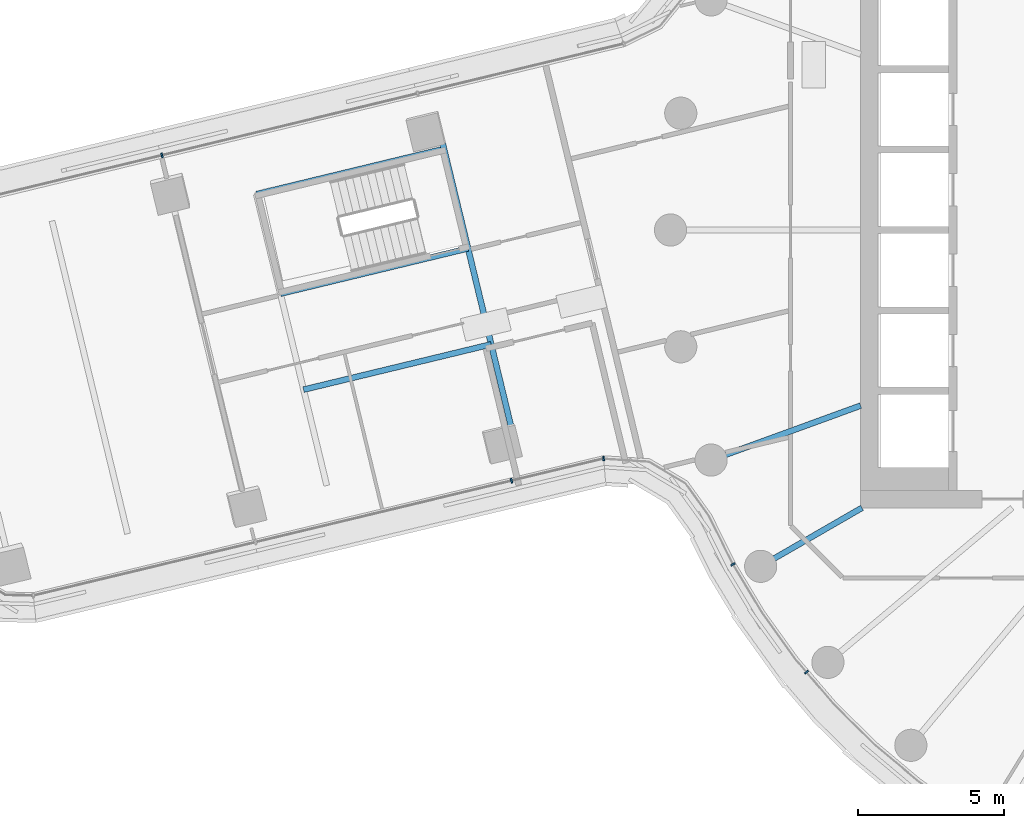
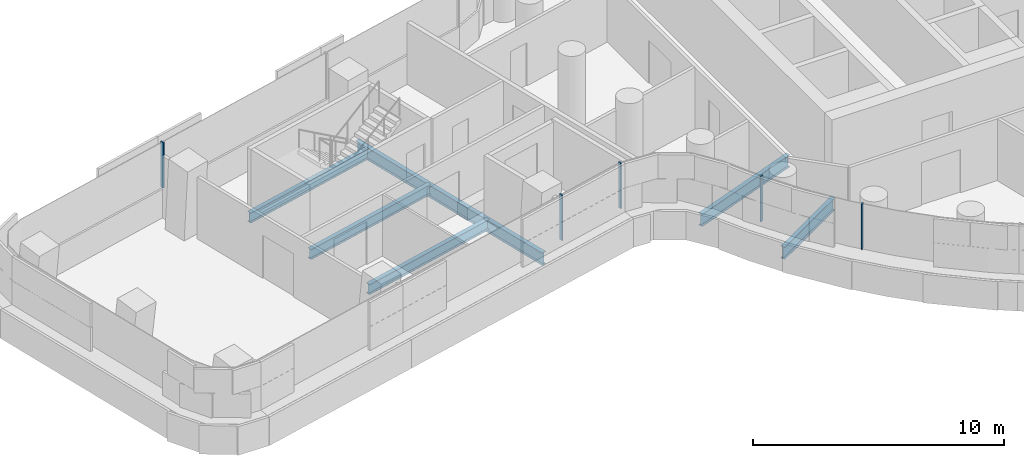
# One storey, part 5 of 33: 6 beams, 5 members, 3 elements without a shape of their own.
"""IFC4 building model written with IfcOpenShell, lengths in metres."""

import ifcopenshell
import ifcopenshell.guid

model = None  # the IFC model being written
_history = None  # IfcOwnerHistory: only IFC2X3 demands one
_inside = {}  # id of a spatial element -> (the spatial element, [elements in it])
_under = {}  # id of a project, library or spatial element -> (it, [spatial elements below it])
_declared = {}  # id of a project -> (the project, [libraries it declares])
_typed = {}  # id of a type object -> (the type object, [elements of that type])
_made_of = {}  # id of a material, layer set ... -> (it, [elements and type objects made of it])


def new_model(schema):
    """Start an empty IFC model of exactly this schema.

    Asked for "IFC4X3", IfcOpenShell would pick the latest addendum, in which some entities
    have other attributes; the version numbers below select the first issue.
    IFC2X3 requires an IfcOwnerHistory on every rooted entity: one is made here for all.
    """
    global model, _history
    if schema == "IFC4X3":
        model = ifcopenshell.file(schema_version=(4, 3, 0, 0))
    else:
        model = ifcopenshell.file(schema=schema)
    _inside.clear()
    _under.clear()
    _declared.clear()
    _typed.clear()
    _made_of.clear()
    _history = None
    if model.schema == "IFC2X3":
        org = make("IfcOrganization", Name="unknown")
        user = make(
            "IfcPersonAndOrganization",
            ThePerson=make("IfcPerson", FamilyName="unknown"),
            TheOrganization=org,
        )
        app = make(
            "IfcApplication",
            ApplicationDeveloper=org,
            Version="unknown",
            ApplicationFullName="unknown",
            ApplicationIdentifier="unknown",
        )
        _history = make(
            "IfcOwnerHistory",
            OwningUser=user,
            OwningApplication=app,
            ChangeAction="ADDED",
            CreationDate=0,
        )
    return model


def make(cls, **values):
    """One entity of the class cls with the attributes given. An attribute that is None is left unset."""
    return model.create_entity(
        cls, **{name: value for name, value in values.items() if value is not None}
    )


def rooted(cls, **values):
    """An entity with a GlobalId (a new one), such as an element, a storey or a relation."""
    return make(cls, GlobalId=ifcopenshell.guid.new(), OwnerHistory=_history, **values)


def si_unit(unit_type, name, prefix=None):
    """IfcSIUnit, for example si_unit("LENGTHUNIT", "METRE", prefix="MILLI")."""
    return make("IfcSIUnit", UnitType=unit_type, Prefix=prefix, Name=name)


def assignment(units):
    """IfcUnitAssignment: the units of a project."""
    return None if units is None else make("IfcUnitAssignment", Units=units)


def point(xyz):
    """IfcCartesianPoint."""
    return None if xyz is None else make("IfcCartesianPoint", Coordinates=xyz)


def direction(xyz):
    """IfcDirection."""
    return None if xyz is None else make("IfcDirection", DirectionRatios=xyz)


def frame(location, z_axis=None, x_axis=None):
    """IfcAxis2Placement3D, a coordinate frame: its origin and axes. An axis left out is left unset."""
    return make(
        "IfcAxis2Placement3D",
        Location=point(location),
        Axis=direction(z_axis),
        RefDirection=direction(x_axis),
    )


def frame_2d(location, x_axis=None):
    """IfcAxis2Placement2D, a coordinate frame in the plane: its origin and x axis."""
    return make(
        "IfcAxis2Placement2D", Location=point(location), RefDirection=direction(x_axis)
    )


def origin():
    """The frame at (0, 0, 0) with its axes left unset."""
    return frame((0.0, 0.0, 0.0))


def origin_2d():
    """The frame at (0, 0) in the plane with its x axis left unset."""
    return frame_2d((0.0, 0.0))


def place(relative_to, where):
    """IfcLocalPlacement: puts the frame where relative to a parent placement (None: the world)."""
    return make(
        "IfcLocalPlacement", PlacementRelTo=relative_to, RelativePlacement=where
    )


def context(
    kind, dimensions, precision=None, world=None, true_north=None, identifier=None
):
    """IfcGeometricRepresentationContext, for example the 3D "Model" context."""
    return make(
        "IfcGeometricRepresentationContext",
        ContextIdentifier=identifier,
        ContextType=kind,
        CoordinateSpaceDimension=dimensions,
        Precision=precision,
        WorldCoordinateSystem=world,
        TrueNorth=true_north,
    )


def subcontext(parent, identifier, kind, view, scale=None):
    """IfcGeometricRepresentationSubContext, for example "Body" below "Model"."""
    return make(
        "IfcGeometricRepresentationSubContext",
        ContextIdentifier=identifier,
        ContextType=kind,
        ParentContext=parent,
        TargetScale=scale,
        TargetView=view,
    )


def project(units=None, contexts=None):
    """IfcProject with its units and contexts."""
    return rooted(
        "IfcProject",
        Name="project",
        RepresentationContexts=contexts,
        UnitsInContext=assignment(units),
    )


def spatial(cls, under=None, at=None, **own):
    """A site, building, storey or space (cls), placed at a placement, below another one or the project."""
    s = rooted(cls, ObjectPlacement=at, **own)
    if under is not None:
        _under.setdefault(under.id(), (under, []))[1].append(s)
    return s


def profile(cls, at=None, kind="AREA", **sizes):
    """A parametric profile (cls). Its sizes go by their IFC names, for example OverallWidth=200.0."""
    return make(cls, ProfileType=kind, Position=at, **sizes)


def rectangle(**sizes):
    """IfcRectangleProfileDef."""
    return profile("IfcRectangleProfileDef", **sizes)


def i_section(**sizes):
    """IfcIShapeProfileDef."""
    return profile("IfcIShapeProfileDef", **sizes)


def extrude(swept, where, along, depth):
    """IfcExtrudedAreaSolid: the profile swept, set in the frame where, extruded along a direction by depth."""
    return make(
        "IfcExtrudedAreaSolid",
        SweptArea=swept,
        Position=where,
        ExtrudedDirection=direction(along),
        Depth=depth,
    )


def shape(context_of_items, identifier, shape_type, items):
    """IfcShapeRepresentation: the items that make up one representation, for example the "Body"."""
    return make(
        "IfcShapeRepresentation",
        ContextOfItems=context_of_items,
        RepresentationIdentifier=identifier,
        RepresentationType=shape_type,
        Items=items,
    )


def material(Name=None, Category=None):
    """IfcMaterial."""
    return make("IfcMaterial", Name=Name, Category=Category)


def layer(
    of_material, thickness, ventilated=None, Name=None, Category=None, Priority=None
):
    """IfcMaterialLayer: one layer of a wall or slab, of a material (None: an air gap)."""
    return make(
        "IfcMaterialLayer",
        Material=of_material,
        LayerThickness=thickness,
        IsVentilated=ventilated,
        Name=Name,
        Category=Category,
        Priority=Priority,
    )


def layer_set(layers, Name=None):
    """IfcMaterialLayerSet."""
    return make("IfcMaterialLayerSet", MaterialLayers=layers, LayerSetName=Name)


def material_profile(
    of_material, cross_section, Name=None, Category=None, Priority=None
):
    """IfcMaterialProfile: a cross section and its material."""
    return make(
        "IfcMaterialProfile",
        Name=Name,
        Material=of_material,
        Profile=cross_section,
        Priority=Priority,
        Category=Category,
    )


def profile_set(profiles, Name=None, composite=None):
    """IfcMaterialProfileSet."""
    return make(
        "IfcMaterialProfileSet",
        Name=Name,
        MaterialProfiles=profiles,
        CompositeProfile=composite,
    )


def made_of(thing, what):
    """Note that an element or type object is made of a material, layer set ...; save() writes the relation."""
    if what is not None:
        _made_of.setdefault(what.id(), (what, []))[1].append(thing)
    return thing


def type_object(cls, material=None, **own):
    """A type object (cls), such as IfcWallType, which elements share."""
    return made_of(rooted(cls, **own), material)


def element(
    cls,
    number,
    at=None,
    inside=None,
    cuts=None,
    type_object=None,
    material=None,
    context=None,
    identifier="Body",
    shape_type=None,
    held_by="IfcProductDefinitionShape",
    body=None,
    shapes=None,
    **own,
):
    """One element of the class cls, such as IfcWall. Its Tag is "e" and its number.

    at: its placement. inside: the storey or other place that contains it. cuts: it is an
    opening in that element (IfcRelVoidsElement). A single representation is given by context,
    identifier, shape_type and body (its items); several are given by shapes. held_by: the class
    of the entity that holds the representations. save() writes the other relations.
    """
    e = rooted(cls, Tag="e%d" % number, ObjectPlacement=at, **own)
    if body is not None:
        shapes = [shape(context, identifier, shape_type, body)]
    if shapes is not None:
        e.Representation = make(held_by, Representations=shapes)
    if inside is not None:
        _inside.setdefault(inside.id(), (inside, []))[1].append(e)
    if cuts is not None:
        rooted(
            "IfcRelVoidsElement", RelatingBuildingElement=cuts, RelatedOpeningElement=e
        )
    if type_object is not None:
        _typed.setdefault(type_object.id(), (type_object, []))[1].append(e)
    return made_of(e, material)


def aggregate(whole, parts):
    """IfcRelAggregates: a whole, such as a stair, and the parts it consists of."""
    return rooted("IfcRelAggregates", RelatingObject=whole, RelatedObjects=parts)


def save(model, path):
    """Write the relations noted so far, then the file.

    IfcRelAggregates (storeys below a building ...), IfcRelContainedInSpatialStructure (elements
    in a storey), IfcRelDefinesByType, IfcRelAssociatesMaterial and IfcRelDeclares: one each for
    every whole, place, type object, material and project.
    """
    for whole, parts in _under.values():
        aggregate(whole, parts)
    for where, things in _inside.values():
        rooted(
            "IfcRelContainedInSpatialStructure",
            RelatedElements=things,
            RelatingStructure=where,
        )
    for kind, things in _typed.values():
        rooted("IfcRelDefinesByType", RelatedObjects=things, RelatingType=kind)
    for what, things in _made_of.values():
        rooted("IfcRelAssociatesMaterial", RelatedObjects=things, RelatingMaterial=what)
    for by, libraries in _declared.values():
        rooted("IfcRelDeclares", RelatingContext=by, RelatedDefinitions=libraries)
    model.write(path)


model = new_model("IFC4")

# Units and contexts
model_context = context("Model", 3, precision=1e-05, world=origin(), true_north=direction((0.0, 1.0)))
body_context = subcontext(model_context, "Body", "Model", "MODEL_VIEW")
ifc_project = project(units=[si_unit("LENGTHUNIT", "METRE"), si_unit("AREAUNIT", "SQUARE_METRE"), si_unit("VOLUMEUNIT", "CUBIC_METRE"), si_unit("PLANEANGLEUNIT", "RADIAN"), si_unit("MASSUNIT", "GRAM", prefix="KILO")], contexts=[model_context])

# Site, building, storey
site_placement = place(None, origin())
site = spatial("IfcSite", under=ifc_project, at=site_placement, CompositionType="ELEMENT")
building_placement = place(site_placement, origin())
building = spatial("IfcBuilding", under=site, at=building_placement, Name="Tamarind Cross Interchange Tower", CompositionType="ELEMENT")
storey_placement = place(building_placement, frame((0.0, 0.0, 83.5)))
storey = spatial("IfcBuildingStorey", under=building, at=storey_placement, Name="L19", CompositionType="ELEMENT", Elevation=83.5)

# Beams
ifc_material_1 = material(Name="Steel Q355B", Category="steel")
ifc_material_profile_1 = material_profile(ifc_material_1, i_section(OverallWidth=0.198974609375, OverallDepth=0.49609375, WebThickness=0.009033203125, FlangeThickness=0.013916015625, FilletRadius=0.012939453125, at=origin_2d()), Name="HN 496x199x9x14")
ifc_profile_set_1 = profile_set([ifc_material_profile_1], Name="Steel Q355B")
beam_type_1 = type_object("IfcBeamType", Name="Composite beam HN 496x199x9x14 Q355B", PredefinedType="BEAM", material=ifc_profile_set_1)
beam_1_placement = place(storey_placement, frame((-30.84326171875, 2.750244140625, -0.387939453125), z_axis=(-0.972027825291, -0.234865720914, 0.0), x_axis=(0.234865720914, -0.972027825291, 0.0)))
element("IfcBeam", 1, at=beam_1_placement, inside=storey, type_object=beam_type_1, Name="Beam W-tr0", PredefinedType="BEAM", context=body_context, shape_type="SweptSolid", body=[
    extrude(i_section(OverallWidth=0.198974609375, OverallDepth=0.49609375, WebThickness=0.009033203125, FlangeThickness=0.013916015625, FilletRadius=0.012939453125, at=origin_2d()), origin(), (0.0, 0.0, 1.0), 6.5),
])
beam_2_placement = place(storey_placement, frame((-29.924072265625, -0.62841796875, -0.387939453125), z_axis=(-0.972029231747, -0.234859900002, 0.0), x_axis=(0.234859900002, -0.972029231747, 0.0)))
element("IfcBeam", 2, at=beam_2_placement, inside=storey, type_object=beam_type_1, Name="Beam W-tr1", PredefinedType="BEAM", context=body_context, shape_type="SweptSolid", body=[
    extrude(i_section(OverallWidth=0.198974609375, OverallDepth=0.49609375, WebThickness=0.009033203125, FlangeThickness=0.013916015625, FilletRadius=0.012939453125, at=origin_2d()), origin(), (0.0, 0.0, 1.0), 6.599853515625),
])
beam_3_placement = place(storey_placement, frame((-29.13134765625, -3.9091796875, -0.387939453125), z_axis=(-0.972039715767, -0.234816504897, 0.0), x_axis=(0.234816504897, -0.972039715767, 0.0)))
element("IfcBeam", 3, at=beam_3_placement, inside=storey, type_object=beam_type_1, Name="Beam W-stripp", PredefinedType="BEAM", context=body_context, shape_type="SweptSolid", body=[
    extrude(i_section(OverallWidth=0.198974609375, OverallDepth=0.49609375, WebThickness=0.009033203125, FlangeThickness=0.013916015625, FilletRadius=0.012939453125, at=origin_2d()), origin(), (0.0, 0.0, 1.0), 6.60009765625),
])
ifc_material_profile_2 = material_profile(ifc_material_1, i_section(OverallWidth=0.198974609375, OverallDepth=0.595947265625, WebThickness=0.010009765625, FlangeThickness=0.014892578125, FilletRadius=0.012939453125, at=origin_2d()), Name="HN 596x199x10x15")
ifc_profile_set_2 = profile_set([ifc_material_profile_2], Name="Steel Q355B")
beam_type_2 = type_object("IfcBeamType", Name="Composite beam HN 596x199x10x15 Q355B", PredefinedType="BEAM", material=ifc_profile_set_2)
beam_4_placement = place(storey_placement, frame((-21.613037109375, -7.866455078125, -0.43798828125), z_axis=(0.939701685589, 0.341995236956, 0.0), x_axis=(-0.341995236956, 0.939701685589, 0.0)))
element("IfcBeam", 4, at=beam_4_placement, inside=storey, type_object=beam_type_2, Name="Beam HH20", PredefinedType="BEAM", context=body_context, shape_type="SweptSolid", body=[
    extrude(i_section(OverallWidth=0.198974609375, OverallDepth=0.595947265625, WebThickness=0.010009765625, FlangeThickness=0.014892578125, FilletRadius=0.012939453125, at=origin_2d()), origin(), (0.0, 0.0, 1.0), 5.441162109375),
])
beam_5_placement = place(storey_placement, frame((-19.918701171875, -11.5, -0.43798828125), z_axis=(0.866026010844, 0.49999894854, 0.0), x_axis=(-0.49999894854, 0.866026010844, 0.0)))
element("IfcBeam", 5, at=beam_5_placement, inside=storey, type_object=beam_type_2, Name="Beam HH21", PredefinedType="BEAM", context=body_context, shape_type="SweptSolid", body=[
    extrude(i_section(OverallWidth=0.198974609375, OverallDepth=0.595947265625, WebThickness=0.010009765625, FlangeThickness=0.014892578125, FilletRadius=0.012939453125, at=origin_2d()), origin(), (0.0, 0.0, 1.0), 4.0),
])
ifc_material_profile_3 = material_profile(ifc_material_1, i_section(OverallWidth=0.199951171875, OverallDepth=0.60009765625, WebThickness=0.010986328125, FlangeThickness=0.01708984375, FilletRadius=0.012939453125, at=origin_2d()), Name="HN 600x200x11x17")
ifc_profile_set_3 = profile_set([ifc_material_profile_3], Name="Steel Q355B")
beam_type_3 = type_object("IfcBeamType", Name="Composite beam HN 600x200x11x17 Q355B", PredefinedType="BEAM", material=ifc_profile_set_3)
beam_6_placement = place(storey_placement, frame((-30.904052734375, 3.42822265625, -0.43994140625), z_axis=(0.234829742669, -0.972036517811, 0.0), x_axis=(0.972036517811, 0.234829742669, 0.0)))
element("IfcBeam", 6, at=beam_6_placement, inside=storey, type_object=beam_type_3, Name="Beam W-x298", PredefinedType="BEAM", context=body_context, shape_type="SweptSolid", body=[
    extrude(i_section(OverallWidth=0.199951171875, OverallDepth=0.60009765625, WebThickness=0.010986328125, FlangeThickness=0.01708984375, FilletRadius=0.012939453125, at=origin_2d()), origin(), (0.0, 0.0, 1.0), 10.80517578125),
])

# Curtain wall, member
ifc_material_2 = material(Name="Aluminium 6063-T6", Category="aluminium")
ifc_layer_1 = layer(ifc_material_2, 0.159912109375)
ifc_layer_set_1 = layer_set([ifc_layer_1], Name="Aluminium 6063-T6")
curtain_wall_type_1 = type_object("IfcCurtainWallType", Name="Office curtain wall, 9.0 m bays", PredefinedType="NOTDEFINED", material=ifc_layer_set_1)
curtain_wall_1_placement = place(storey_placement, origin())
curtain_wall_1 = element("IfcCurtainWall", 7, at=curtain_wall_1_placement, inside=storey, type_object=curtain_wall_type_1, Name="CWS-L19-03", PredefinedType="NOTDEFINED")
ifc_material_profile_4 = material_profile(ifc_material_2, rectangle(XDim=0.06005859375, YDim=0.159912109375, at=origin_2d()), Name="Mullion CW1")
ifc_profile_set_4 = profile_set([ifc_material_profile_4], Name="Aluminium 6063-T6")
member_type_1 = type_object("IfcMemberType", Name="Mullion CW1", PredefinedType="MULLION", material=ifc_profile_set_4)
member_1_placement = place(storey_placement, frame((-40.388916015625, 2.552978515625, 1.39990234375), z_axis=(0.0, 0.0, 1.0), x_axis=(-0.972033185193, -0.234843537027, 0.0)))
member_1 = element("IfcMember", 8, at=member_1_placement, type_object=member_type_1, Name="CWM-L19-03-02", PredefinedType="MULLION", context=body_context, shape_type="SweptSolid", body=[
    extrude(rectangle(XDim=0.06005859375, YDim=0.159912109375, at=origin_2d()), origin(), (0.0, 0.0, 1.0), 2.210205078125),
])
aggregate(curtain_wall_1, [member_1])

curtain_wall_2_placement = place(storey_placement, origin())
curtain_wall_2 = element("IfcCurtainWall", 9, at=curtain_wall_2_placement, inside=storey, type_object=curtain_wall_type_1, Name="CWS-L19-05", PredefinedType="NOTDEFINED")
member_2_placement = place(storey_placement, frame((-28.4365234375, -8.573974609375, 1.39990234375), z_axis=(0.0, 0.0, 1.0), x_axis=(0.972346190764, 0.233544182771, 0.0)))
member_2 = element("IfcMember", 10, at=member_2_placement, type_object=member_type_1, Name="CWM-L19-05-02", PredefinedType="MULLION", context=body_context, shape_type="SweptSolid", body=[
    extrude(rectangle(XDim=0.06005859375, YDim=0.159912109375, at=origin_2d()), origin(), (0.0, 0.0, 1.0), 2.210205078125),
])
aggregate(curtain_wall_2, [member_2])

# Curtain wall, members
ifc_layer_2 = layer(ifc_material_2, 0.14990234375)
ifc_layer_set_2 = layer_set([ifc_layer_2], Name="Aluminium 6063-T6")
curtain_wall_type_2 = type_object("IfcCurtainWallType", Name="Winter garden and crown curtain wall", PredefinedType="NOTDEFINED", material=ifc_layer_set_2)
curtain_wall_3_placement = place(storey_placement, origin())
curtain_wall_3 = element("IfcCurtainWall", 11, at=curtain_wall_3_placement, inside=storey, type_object=curtain_wall_type_2, Name="CWS-L19-06", PredefinedType="NOTDEFINED")
ifc_material_profile_5 = material_profile(ifc_material_2, rectangle(XDim=0.06005859375, YDim=0.14990234375, at=origin_2d()), Name="Mullion CW6")
ifc_profile_set_5 = profile_set([ifc_material_profile_5], Name="Aluminium 6063-T6")
member_type_2 = type_object("IfcMemberType", Name="Mullion CW6", PredefinedType="MULLION", material=ifc_profile_set_5)
member_3_placement = place(storey_placement, frame((-25.288818359375, -7.81787109375, 1.39990234375), z_axis=(0.0, 0.0, 1.0), x_axis=(0.996410976915, 0.084647298143, 0.0)))
member_3 = element("IfcMember", 12, at=member_3_placement, type_object=member_type_2, Name="CWM-L19-06-00", PredefinedType="MULLION", context=body_context, shape_type="SweptSolid", body=[
    extrude(rectangle(XDim=0.06005859375, YDim=0.14990234375, at=origin_2d()), origin(), (0.0, 0.0, 1.0), 2.210205078125),
])
member_4_placement = place(storey_placement, frame((-20.8671875, -11.434814453125, 1.39990234375), z_axis=(0.0, 0.0, 1.0), x_axis=(0.515577308909, -0.856843065292, 0.0)))
member_4 = element("IfcMember", 13, at=member_4_placement, type_object=member_type_2, Name="CWM-L19-06-01", PredefinedType="MULLION", context=body_context, shape_type="SweptSolid", body=[
    extrude(rectangle(XDim=0.06005859375, YDim=0.14990234375, at=origin_2d()), origin(), (0.0, 0.0, 1.0), 2.210205078125),
])
member_5_placement = place(storey_placement, frame((-18.353759765625, -15.119140625, 1.39990234375), z_axis=(0.0, 0.0, 1.0), x_axis=(0.64957723968, -0.760295606781, 0.0)))
member_5 = element("IfcMember", 14, at=member_5_placement, type_object=member_type_2, Name="CWM-L19-06-02", PredefinedType="MULLION", context=body_context, shape_type="SweptSolid", body=[
    extrude(rectangle(XDim=0.06005859375, YDim=0.14990234375, at=origin_2d()), origin(), (0.0, 0.0, 1.0), 2.210205078125),
])
aggregate(curtain_wall_3, [member_3, member_4, member_5])

save(model, "model.ifc")
